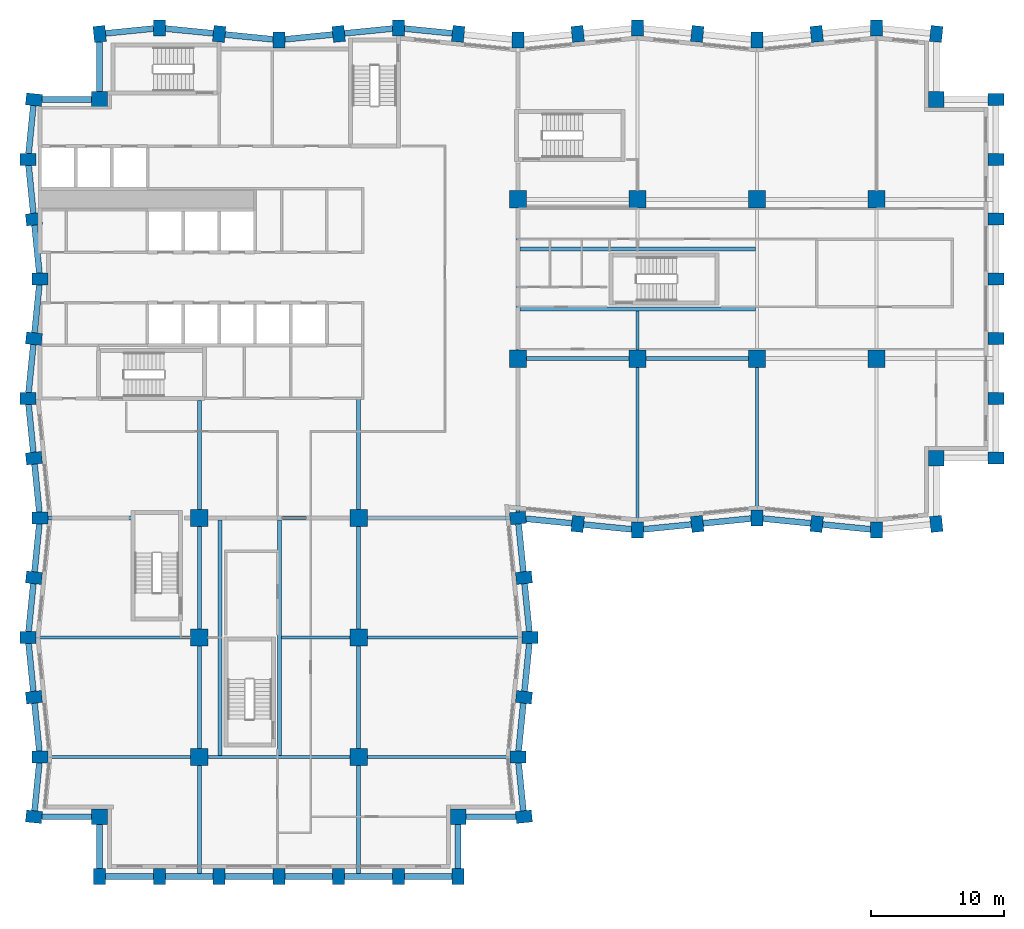
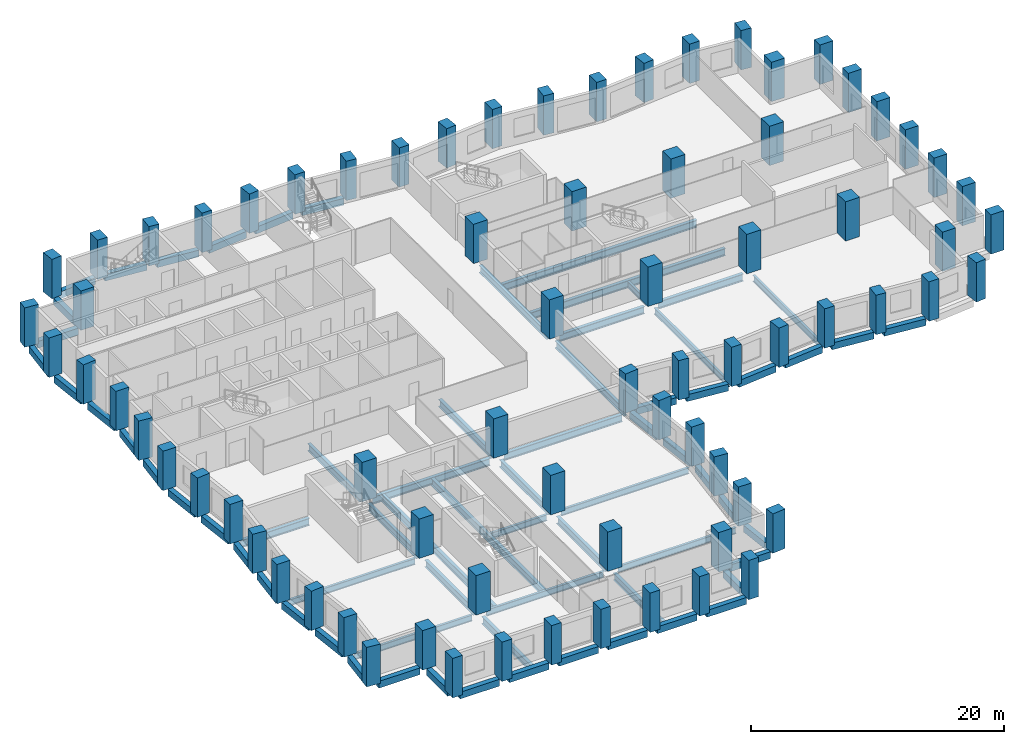
# One storey, part 1 of 11: 74 columns, 69 beams.
"""IFC4 building model written with IfcOpenShell, lengths in metres."""

from ifc_helpers import new_model, si_unit, direction, frame, origin, origin_2d, place, context, subcontext, project, spatial, rectangle, i_section, extrude, material, material_profile, profile_set, type_object, element, save


model = new_model("IFC4")

# Units and contexts
model_context = context("Model", 3, precision=1e-05, world=origin(), true_north=direction((0.0, 1.0)))
body_context = subcontext(model_context, "Body", "Model", "MODEL_VIEW")
ifc_project = project(units=[si_unit("LENGTHUNIT", "METRE"), si_unit("AREAUNIT", "SQUARE_METRE"), si_unit("VOLUMEUNIT", "CUBIC_METRE"), si_unit("PLANEANGLEUNIT", "RADIAN"), si_unit("MASSUNIT", "GRAM", prefix="KILO")], contexts=[model_context])

# Site, building, storey
site_placement = place(None, origin())
site = spatial("IfcSite", under=ifc_project, at=site_placement, CompositionType="ELEMENT")
building_placement = place(site_placement, origin())
building = spatial("IfcBuilding", under=site, at=building_placement, Name="Brondeck Convention Tower", CompositionType="ELEMENT")
storey_placement = place(building_placement, frame((0.0, 0.0, 130.300048828125)))
storey = spatial("IfcBuildingStorey", under=building, at=storey_placement, Name="L31", CompositionType="ELEMENT", Elevation=130.300048828125)

# Columns
ifc_material_1 = material(Name="Concrete C70/85", Category="concrete")
ifc_material_profile_1 = material_profile(ifc_material_1, rectangle(XDim=1.199951171875, YDim=1.199951171875, at=origin_2d()), Name="Corner column 1200x1200 Concrete C70/85")
ifc_profile_set_1 = profile_set([ifc_material_profile_1], Name="Concrete C70/85")
column_type_1 = type_object("IfcColumnType", Name="Corner column 1200x1200 Concrete C70/85", PredefinedType="COLUMN", material=ifc_profile_set_1)
for number, where, z_axis, x_axis, name in (
    (1, (4.5, 4.5, 0.0), (0.0, 0.0, 1.0), (1.0, 0.0, 0.0), "STR-COL-L31-NC-SWB0"),
    (2, (31.5, 4.5, 0.0), (0.0, 0.0, 1.0), (1.0, 0.0, 0.0), "STR-COL-L31-NC-SEB0"),
    (3, (67.5, 31.5, 0.0), (0.0, 0.0, 1.0), (1.0, 0.0, 0.0), "STR-COL-L31-NC-SEA72"),
    (4, (67.5, 58.5, 0.0), (0.0, 0.0, 1.0), (1.0, 0.0, 0.0), "STR-COL-L31-NC-NEA72"),
    (5, (4.5, 58.5, 0.0), (0.0, 0.0, 1.0), (1.0, 0.0, 0.0), "STR-COL-L31-NC-NW"),
):
    element("IfcColumn", number, at=place(storey_placement, frame(where, z_axis=z_axis, x_axis=x_axis)), inside=storey, type_object=column_type_1, Name=name, PredefinedType="COLUMN", context=body_context, shape_type="SweptSolid", body=[
        extrude(rectangle(XDim=1.199951171875, YDim=1.199951171875, at=origin_2d()), origin(), (0.0, 0.0, 1.0), 3.800048828125),
    ])
ifc_material_profile_2 = material_profile(ifc_material_1, rectangle(XDim=1.300048828125, YDim=1.300048828125, at=origin_2d()), Name="Interior column 1300x1300 Concrete C70/85")
ifc_profile_set_2 = profile_set([ifc_material_profile_2], Name="Concrete C70/85")
column_type_2 = type_object("IfcColumnType", Name="Interior column 1300x1300 Concrete C70/85", PredefinedType="COLUMN", material=ifc_profile_set_2)
for number, where, z_axis, x_axis, name in (
    (6, (12.0, 9.0, 0.0), (0.0, 0.0, 1.0), (1.0, 0.0, 0.0), "STR-COL-L31-IC-01"),
    (7, (12.0, 18.0, 0.0), (0.0, 0.0, 1.0), (1.0, 0.0, 0.0), "STR-COL-L31-IC-02"),
    (8, (12.0, 27.0, 0.0), (0.0, 0.0, 1.0), (1.0, 0.0, 0.0), "STR-COL-L31-IC-03"),
    (9, (24.0, 9.0, 0.0), (0.0, 0.0, 1.0), (1.0, 0.0, 0.0), "STR-COL-L31-IC-04"),
    (10, (24.0, 18.0, 0.0), (0.0, 0.0, 1.0), (1.0, 0.0, 0.0), "STR-COL-L31-IC-05"),
    (11, (24.0, 27.0, 0.0), (0.0, 0.0, 1.0), (1.0, 0.0, 0.0), "STR-COL-L31-IC-06"),
    (12, (36.0, 39.0, 0.0), (0.0, 0.0, 1.0), (1.0, 0.0, 0.0), "STR-COL-L31-IC-07"),
    (13, (36.0, 51.0, 0.0), (0.0, 0.0, 1.0), (1.0, 0.0, 0.0), "STR-COL-L31-IC-08"),
    (14, (45.0, 39.0, 0.0), (0.0, 0.0, 1.0), (1.0, 0.0, 0.0), "STR-COL-L31-IC-09"),
    (15, (45.0, 51.0, 0.0), (0.0, 0.0, 1.0), (1.0, 0.0, 0.0), "STR-COL-L31-IC-10"),
    (16, (54.0, 39.0, 0.0), (0.0, 0.0, 1.0), (1.0, 0.0, 0.0), "STR-COL-L31-IC-11"),
    (17, (54.0, 51.0, 0.0), (0.0, 0.0, 1.0), (1.0, 0.0, 0.0), "STR-COL-L31-IC-12"),
    (18, (63.0, 39.0, 0.0), (0.0, 0.0, 1.0), (1.0, 0.0, 0.0), "STR-COL-L31-IC-13"),
    (19, (63.0, 51.0, 0.0), (0.0, 0.0, 1.0), (1.0, 0.0, 0.0), "STR-COL-L31-IC-14"),
):
    element("IfcColumn", number, at=place(storey_placement, frame(where, z_axis=z_axis, x_axis=x_axis)), inside=storey, type_object=column_type_2, Name=name, PredefinedType="COLUMN", context=body_context, shape_type="SweptSolid", body=[
        extrude(rectangle(XDim=1.300048828125, YDim=1.300048828125, at=origin_2d()), origin(), (0.0, 0.0, 1.0), 3.800048828125),
    ])
ifc_material_profile_3 = material_profile(ifc_material_1, rectangle(XDim=0.89990234375, YDim=1.199951171875, at=origin_2d()), Name="Perimeter pier 900x1200 Concrete C70/85")
ifc_profile_set_3 = profile_set([ifc_material_profile_3], Name="Concrete C70/85")
column_type_3 = type_object("IfcColumnType", Name="Perimeter pier 900x1200 Concrete C70/85", PredefinedType="COLUMN", material=ifc_profile_set_3)
for number, where, z_axis, x_axis, name in (
    (20, (4.5, 0.0, 0.0), (0.0, 0.0, 1.0), (1.0, 0.0, 0.0), "STR-COL-L31-PC-B-S0-01"),
    (21, (9.0, 0.0, 0.0), (0.0, 0.0, 1.0), (1.0, 0.0, 0.0), "STR-COL-L31-PC-B-S0-02"),
    (22, (13.5, 0.0, 0.0), (0.0, 0.0, 1.0), (1.0, 0.0, 0.0), "STR-COL-L31-PC-B-S0-03"),
    (23, (18.0, 0.0, 0.0), (0.0, 0.0, 1.0), (1.0, 0.0, 0.0), "STR-COL-L31-PC-B-S0-04"),
    (24, (22.5, 0.0, 0.0), (0.0, 0.0, 1.0), (1.0, 0.0, 0.0), "STR-COL-L31-PC-B-S0-05"),
    (25, (27.0, 0.0, 0.0), (0.0, 0.0, 1.0), (1.0, 0.0, 0.0), "STR-COL-L31-PC-B-S0-06"),
    (26, (31.5, 0.0, 0.0), (0.0, 0.0, 1.0), (1.0, 0.0, 0.0), "STR-COL-L31-PC-B-S0-07"),
    (27, (36.449951171875, 4.5, 0.0), (0.0, 0.0, 1.0), (-0.0995038382, 0.995037178292, 0.0), "STR-COL-L31-PC-B-E-05"),
    (28, (36.0, 9.0, 0.0), (0.0, 0.0, 1.0), (0.0, 1.0, 0.0), "STR-COL-L31-PC-B-E-04"),
    (29, (36.449951171875, 13.5, 0.0), (0.0, 0.0, 1.0), (0.0995038382, 0.995037178292, 0.0), "STR-COL-L31-PC-B-E-03"),
    (30, (36.89990234375, 18.0, 0.0), (0.0, 0.0, 1.0), (0.0, 1.0, 0.0), "STR-COL-L31-PC-B-E-02"),
    (31, (36.449951171875, 22.5, 0.0), (0.0, 0.0, 1.0), (-0.0995038382, 0.995037178292, 0.0), "STR-COL-L31-PC-B-E-01"),
    (32, (36.0, 27.0, 0.0), (0.0, 0.0, 1.0), (-0.0995038382, 0.995037178292, 0.0), "STR-COL-L31-PC-B-E-00"),
    (33, (40.5, 26.550048828125, 0.0), (0.0, 0.0, 1.0), (0.995037178292, -0.0995038382, 0.0), "STR-COL-L31-PC-A-S-01"),
    (34, (45.0, 26.10009765625, 0.0), (0.0, 0.0, 1.0), (1.0, 0.0, 0.0), "STR-COL-L31-PC-A-S-02"),
    (35, (49.5, 26.550048828125, 0.0), (0.0, 0.0, 1.0), (0.995037178292, 0.0995038382, 0.0), "STR-COL-L31-PC-A-S-03"),
    (36, (54.0, 27.0, 0.0), (0.0, 0.0, 1.0), (1.0, 0.0, 0.0), "STR-COL-L31-PC-A-S-04"),
    (37, (58.5, 26.550048828125, 0.0), (0.0, 0.0, 1.0), (0.995037178292, -0.0995038382, 0.0), "STR-COL-L31-PC-A-S-05"),
    (38, (63.0, 26.10009765625, 0.0), (0.0, 0.0, 1.0), (1.0, 0.0, 0.0), "STR-COL-L31-PC-A-S-06"),
    (39, (67.5, 26.550048828125, 0.0), (0.0, 0.0, 1.0), (0.995037178292, 0.0995038382, 0.0), "STR-COL-L31-PC-A-S-07"),
    (40, (72.0, 31.5, 0.0), (0.0, 0.0, 1.0), (0.0, 1.0, 0.0), "STR-COL-L31-PC-A-E72-01"),
    (41, (72.0, 36.0, 0.0), (0.0, 0.0, 1.0), (0.0, 1.0, 0.0), "STR-COL-L31-PC-A-E72-02"),
    (42, (72.0, 40.5, 0.0), (0.0, 0.0, 1.0), (0.0, 1.0, 0.0), "STR-COL-L31-PC-A-E72-03"),
    (43, (72.0, 45.0, 0.0), (0.0, 0.0, 1.0), (0.0, 1.0, 0.0), "STR-COL-L31-PC-A-E72-04"),
    (44, (72.0, 49.5, 0.0), (0.0, 0.0, 1.0), (0.0, 1.0, 0.0), "STR-COL-L31-PC-A-E72-05"),
    (45, (72.0, 54.0, 0.0), (0.0, 0.0, 1.0), (0.0, 1.0, 0.0), "STR-COL-L31-PC-A-E72-06"),
    (46, (72.0, 58.5, 0.0), (0.0, 0.0, 1.0), (0.0, 1.0, 0.0), "STR-COL-L31-PC-A-E72-07"),
    (47, (67.5, 63.449951171875, 0.0), (0.0, 0.0, 1.0), (-0.995037178292, 0.0995038382, 0.0), "STR-COL-L31-PC-A-N-15"),
    (48, (63.0, 63.89990234375, 0.0), (0.0, 0.0, 1.0), (-1.0, 0.0, 0.0), "STR-COL-L31-PC-A-N-14"),
    (49, (58.5, 63.449951171875, 0.0), (0.0, 0.0, 1.0), (-0.995037178292, -0.0995038382, 0.0), "STR-COL-L31-PC-A-N-13"),
    (50, (54.0, 63.0, 0.0), (0.0, 0.0, 1.0), (-1.0, 0.0, 0.0), "STR-COL-L31-PC-A-N-12"),
    (51, (49.5, 63.449951171875, 0.0), (0.0, 0.0, 1.0), (-0.995037178292, 0.0995038382, 0.0), "STR-COL-L31-PC-A-N-11"),
    (52, (45.0, 63.89990234375, 0.0), (0.0, 0.0, 1.0), (-1.0, 0.0, 0.0), "STR-COL-L31-PC-A-N-10"),
    (53, (40.5, 63.449951171875, 0.0), (0.0, 0.0, 1.0), (-0.995037178292, -0.0995038382, 0.0), "STR-COL-L31-PC-A-N-09"),
    (54, (36.0, 63.0, 0.0), (0.0, 0.0, 1.0), (-1.0, 0.0, 0.0), "STR-COL-L31-PC-A-N-08"),
    (55, (31.5, 63.449951171875, 0.0), (0.0, 0.0, 1.0), (-0.995037178292, 0.0995038382, 0.0), "STR-COL-L31-PC-A-N-07"),
    (56, (27.0, 63.89990234375, 0.0), (0.0, 0.0, 1.0), (-1.0, 0.0, 0.0), "STR-COL-L31-PC-A-N-06"),
    (57, (22.5, 63.449951171875, 0.0), (0.0, 0.0, 1.0), (-0.995037178292, -0.0995038382, 0.0), "STR-COL-L31-PC-A-N-05"),
    (58, (18.0, 63.0, 0.0), (0.0, 0.0, 1.0), (-1.0, 0.0, 0.0), "STR-COL-L31-PC-A-N-04"),
    (59, (13.5, 63.449951171875, 0.0), (0.0, 0.0, 1.0), (-0.995037178292, 0.0995038382, 0.0), "STR-COL-L31-PC-A-N-03"),
    (60, (9.0, 63.89990234375, 0.0), (0.0, 0.0, 1.0), (-1.0, 0.0, 0.0), "STR-COL-L31-PC-A-N-02"),
    (61, (4.5, 63.449951171875, 0.0), (0.0, 0.0, 1.0), (-0.995037178292, -0.0995038382, 0.0), "STR-COL-L31-PC-A-N-01"),
    (62, (-0.449951171875, 58.5, 0.0), (0.0, 0.0, 1.0), (-0.0995038382, -0.995037178292, 0.0), "STR-COL-L31-PC-B-W-01"),
    (63, (-0.89990234375, 54.0, 0.0), (0.0, 0.0, 1.0), (0.0, -1.0, 0.0), "STR-COL-L31-PC-B-W-02"),
    (64, (-0.449951171875, 49.5, 0.0), (0.0, 0.0, 1.0), (0.0995038382, -0.995037178292, 0.0), "STR-COL-L31-PC-B-W-03"),
    (65, (0.0, 45.0, 0.0), (0.0, 0.0, 1.0), (0.0, -1.0, 0.0), "STR-COL-L31-PC-B-W-04"),
    (66, (-0.449951171875, 40.5, 0.0), (0.0, 0.0, 1.0), (-0.0995038382, -0.995037178292, 0.0), "STR-COL-L31-PC-B-W-05"),
    (67, (-0.89990234375, 36.0, 0.0), (0.0, 0.0, 1.0), (0.0, -1.0, 0.0), "STR-COL-L31-PC-B-W-06"),
    (68, (-0.449951171875, 31.5, 0.0), (0.0, 0.0, 1.0), (0.0995038382, -0.995037178292, 0.0), "STR-COL-L31-PC-B-W-07"),
    (69, (0.0, 27.0, 0.0), (0.0, 0.0, 1.0), (0.0, -1.0, 0.0), "STR-COL-L31-PC-B-W-08"),
    (70, (-0.449951171875, 22.5, 0.0), (0.0, 0.0, 1.0), (-0.0995038382, -0.995037178292, 0.0), "STR-COL-L31-PC-B-W-09"),
    (71, (-0.89990234375, 18.0, 0.0), (0.0, 0.0, 1.0), (0.0, -1.0, 0.0), "STR-COL-L31-PC-B-W-10"),
    (72, (-0.449951171875, 13.5, 0.0), (0.0, 0.0, 1.0), (0.0995038382, -0.995037178292, 0.0), "STR-COL-L31-PC-B-W-11"),
    (73, (0.0, 9.0, 0.0), (0.0, 0.0, 1.0), (0.0, -1.0, 0.0), "STR-COL-L31-PC-B-W-12"),
    (74, (-0.449951171875, 4.5, 0.0), (0.0, 0.0, 1.0), (-0.0995038382, -0.995037178292, 0.0), "STR-COL-L31-PC-B-W-13"),
):
    element("IfcColumn", number, at=place(storey_placement, frame(where, z_axis=z_axis, x_axis=x_axis)), inside=storey, type_object=column_type_3, Name=name, PredefinedType="COLUMN", context=body_context, shape_type="SweptSolid", body=[
        extrude(rectangle(XDim=0.89990234375, YDim=1.199951171875, at=origin_2d()), origin(), (0.0, 0.0, 1.0), 3.800048828125),
    ])

# Beams
ifc_material_2 = material(Name="Steel S355", Category="steel")
ifc_material_profile_4 = material_profile(ifc_material_2, i_section(OverallWidth=0.219970703125, OverallDepth=0.60009765625, WebThickness=0.011962890625, FlangeThickness=0.01904296875, FilletRadius=0.02392578125, at=origin_2d()), Name="IPE 600")
ifc_profile_set_4 = profile_set([ifc_material_profile_4], Name="Steel S355")
beam_type_1 = type_object("IfcBeamType", Name="Floor beam IPE 600", PredefinedType="BEAM", material=ifc_profile_set_4)
beam_1_placement = place(storey_placement, frame((45.0, 26.699951171875, -0.60009765625), z_axis=(0.0, 1.0, 0.0), x_axis=(-1.0, 0.0, 0.0)))
element("IfcBeam", 75, at=beam_1_placement, inside=storey, type_object=beam_type_1, Name="STR-FB-L31-001", PredefinedType="BEAM", context=body_context, shape_type="SweptSolid", body=[
    extrude(i_section(OverallWidth=0.219970703125, OverallDepth=0.60009765625, WebThickness=0.011962890625, FlangeThickness=0.01904296875, FilletRadius=0.02392578125, at=origin_2d()), origin(), (0.0, 0.0, 1.0), 11.650146484375),
])
for number, where, z_axis, x_axis, name in (
    (76, (54.0, 27.60009765625, -0.60009765625), (0.0, 1.0, 0.0), (-1.0, 0.0, 0.0), "STR-FB-L31-003"),
    (77, (0.60009765625, 9.0, -0.60009765625), (1.0, 0.0, 0.0), (0.0, 1.0, 0.0), "STR-FB-L31-009"),
):
    element("IfcBeam", number, at=place(storey_placement, frame(where, z_axis=z_axis, x_axis=x_axis)), inside=storey, type_object=beam_type_1, Name=name, PredefinedType="BEAM", context=body_context, shape_type="SweptSolid", body=[
        extrude(i_section(OverallWidth=0.219970703125, OverallDepth=0.60009765625, WebThickness=0.011962890625, FlangeThickness=0.01904296875, FilletRadius=0.02392578125, at=origin_2d()), origin(), (0.0, 0.0, 1.0), 10.75),
    ])
beam_2_placement = place(storey_placement, frame((12.64990234375, 9.0, -0.60009765625), z_axis=(1.0, 0.0, 0.0), x_axis=(0.0, 1.0, 0.0)))
element("IfcBeam", 78, at=beam_2_placement, inside=storey, type_object=beam_type_1, Name="STR-FB-L31-010", PredefinedType="BEAM", context=body_context, shape_type="SweptSolid", body=[
    extrude(i_section(OverallWidth=0.219970703125, OverallDepth=0.60009765625, WebThickness=0.011962890625, FlangeThickness=0.01904296875, FilletRadius=0.02392578125, at=origin_2d()), origin(), (0.0, 0.0, 1.0), 10.7001953125),
])
beam_3_placement = place(storey_placement, frame((24.64990234375, 9.0, -0.60009765625), z_axis=(1.0, 0.0, 0.0), x_axis=(0.0, 1.0, 0.0)))
element("IfcBeam", 79, at=beam_3_placement, inside=storey, type_object=beam_type_1, Name="STR-FB-L31-011", PredefinedType="BEAM", context=body_context, shape_type="SweptSolid", body=[
    extrude(i_section(OverallWidth=0.219970703125, OverallDepth=0.60009765625, WebThickness=0.011962890625, FlangeThickness=0.01904296875, FilletRadius=0.02392578125, at=origin_2d()), origin(), (0.0, 0.0, 1.0), 10.75),
])
for number, where, z_axis, x_axis, name in (
    (80, (-0.300048828125, 18.0, -0.60009765625), (1.0, 0.0, 0.0), (0.0, 1.0, 0.0), "STR-FB-L31-012"),
    (81, (24.64990234375, 18.0, -0.60009765625), (1.0, 0.0, 0.0), (0.0, 1.0, 0.0), "STR-FB-L31-013"),
):
    element("IfcBeam", number, at=place(storey_placement, frame(where, z_axis=z_axis, x_axis=x_axis)), inside=storey, type_object=beam_type_1, Name=name, PredefinedType="BEAM", context=body_context, shape_type="SweptSolid", body=[
        extrude(i_section(OverallWidth=0.219970703125, OverallDepth=0.60009765625, WebThickness=0.011962890625, FlangeThickness=0.01904296875, FilletRadius=0.02392578125, at=origin_2d()), origin(), (0.0, 0.0, 1.0), 11.650146484375),
    ])
beam_4_placement = place(storey_placement, frame((45.0, 39.64990234375, -0.60009765625), z_axis=(0.0, 1.0, 0.0), x_axis=(-1.0, 0.0, 0.0)))
element("IfcBeam", 82, at=beam_4_placement, inside=storey, type_object=beam_type_1, Name="STR-FB-L31-014", PredefinedType="BEAM", context=body_context, shape_type="SweptSolid", body=[
    extrude(i_section(OverallWidth=0.219970703125, OverallDepth=0.60009765625, WebThickness=0.011962890625, FlangeThickness=0.01904296875, FilletRadius=0.02392578125, at=origin_2d()), origin(), (0.0, 0.0, 1.0), 2.9501953125),
])
beam_5_placement = place(storey_placement, frame((18.199951171875, 18.0, -0.60009765625), z_axis=(1.0, 0.0, 0.0), x_axis=(0.0, 1.0, 0.0)))
element("IfcBeam", 83, at=beam_5_placement, inside=storey, type_object=beam_type_1, Name="STR-FB-L31-016", PredefinedType="BEAM", context=body_context, shape_type="SweptSolid", body=[
    extrude(i_section(OverallWidth=0.219970703125, OverallDepth=0.60009765625, WebThickness=0.011962890625, FlangeThickness=0.01904296875, FilletRadius=0.02392578125, at=origin_2d()), origin(), (0.0, 0.0, 1.0), 5.150146484375),
])
ifc_material_profile_5 = material_profile(ifc_material_2, i_section(OverallWidth=0.300048828125, OverallDepth=0.699951171875, WebThickness=0.01708984375, FlangeThickness=0.031982421875, FilletRadius=0.027099609375, at=origin_2d()), Name="HEB 700")
ifc_profile_set_5 = profile_set([ifc_material_profile_5], Name="Steel S355")
beam_type_2 = type_object("IfcBeamType", Name="Girder HEB 700", PredefinedType="BEAM", material=ifc_profile_set_5)
for number, where, z_axis, x_axis, name in (
    (84, (36.64990234375, 39.0, -0.650146484375), (1.0, 0.0, 0.0), (0.0, 1.0, 0.0), "STR-GR-L31-001"),
    (85, (45.64990234375, 39.0, -0.650146484375), (1.0, 0.0, 0.0), (0.0, 1.0, 0.0), "STR-GR-L31-002"),
):
    element("IfcBeam", number, at=place(storey_placement, frame(where, z_axis=z_axis, x_axis=x_axis)), inside=storey, type_object=beam_type_2, Name=name, PredefinedType="BEAM", context=body_context, shape_type="SweptSolid", body=[
        extrude(i_section(OverallWidth=0.300048828125, OverallDepth=0.699951171875, WebThickness=0.01708984375, FlangeThickness=0.031982421875, FilletRadius=0.027099609375, at=origin_2d()), origin(), (0.0, 0.0, 1.0), 7.7001953125),
    ])
beam_6_placement = place(storey_placement, frame((36.0, 27.4521484375, -0.650146484375), z_axis=(0.0, 1.0, 0.0), x_axis=(-1.0, 0.0, 0.0)))
element("IfcBeam", 86, at=beam_6_placement, inside=storey, type_object=beam_type_2, Name="STR-GR-L31-009", PredefinedType="BEAM", context=body_context, shape_type="SweptSolid", body=[
    extrude(i_section(OverallWidth=0.300048828125, OverallDepth=0.699951171875, WebThickness=0.01708984375, FlangeThickness=0.031982421875, FilletRadius=0.027099609375, at=origin_2d()), origin(), (0.0, 0.0, 1.0), 10.89794921875),
])
beam_7_placement = place(storey_placement, frame((36.0, 39.64990234375, -0.650146484375), z_axis=(0.0, 1.0, 0.0), x_axis=(-1.0, 0.0, 0.0)))
element("IfcBeam", 87, at=beam_7_placement, inside=storey, type_object=beam_type_2, Name="STR-GR-L31-010", PredefinedType="BEAM", context=body_context, shape_type="SweptSolid", body=[
    extrude(i_section(OverallWidth=0.300048828125, OverallDepth=0.699951171875, WebThickness=0.01708984375, FlangeThickness=0.031982421875, FilletRadius=0.027099609375, at=origin_2d()), origin(), (0.0, 0.0, 1.0), 10.7001953125),
])
beam_8_placement = place(storey_placement, frame((12.0, 35.85009765625, -0.650146484375), z_axis=(0.0, -1.0, 0.0), x_axis=(1.0, 0.0, 0.0)))
element("IfcBeam", 88, at=beam_8_placement, inside=storey, type_object=beam_type_2, Name="STR-GR-L31-013", PredefinedType="BEAM", context=body_context, shape_type="SweptSolid", body=[
    extrude(i_section(OverallWidth=0.300048828125, OverallDepth=0.699951171875, WebThickness=0.01708984375, FlangeThickness=0.031982421875, FilletRadius=0.027099609375, at=origin_2d()), origin(), (0.0, 0.0, 1.0), 8.2001953125),
])
for number, where, z_axis, x_axis, name in (
    (89, (12.0, 26.35009765625, -0.650146484375), (0.0, -1.0, 0.0), (1.0, 0.0, 0.0), "STR-GR-L31-014"),
    (90, (12.0, 17.35009765625, -0.650146484375), (0.0, -1.0, 0.0), (1.0, 0.0, 0.0), "STR-GR-L31-015"),
):
    element("IfcBeam", number, at=place(storey_placement, frame(where, z_axis=z_axis, x_axis=x_axis)), inside=storey, type_object=beam_type_2, Name=name, PredefinedType="BEAM", context=body_context, shape_type="SweptSolid", body=[
        extrude(i_section(OverallWidth=0.300048828125, OverallDepth=0.699951171875, WebThickness=0.01708984375, FlangeThickness=0.031982421875, FilletRadius=0.027099609375, at=origin_2d()), origin(), (0.0, 0.0, 1.0), 7.7001953125),
    ])
beam_9_placement = place(storey_placement, frame((12.0, 8.35009765625, -0.650146484375), z_axis=(0.0, -1.0, 0.0), x_axis=(1.0, 0.0, 0.0)))
element("IfcBeam", 91, at=beam_9_placement, inside=storey, type_object=beam_type_2, Name="STR-GR-L31-016", PredefinedType="BEAM", context=body_context, shape_type="SweptSolid", body=[
    extrude(i_section(OverallWidth=0.300048828125, OverallDepth=0.699951171875, WebThickness=0.01708984375, FlangeThickness=0.031982421875, FilletRadius=0.027099609375, at=origin_2d()), origin(), (0.0, 0.0, 1.0), 8.125),
])
beam_10_placement = place(storey_placement, frame((24.0, 35.955078125, -0.650146484375), z_axis=(0.0, -1.0, 0.0), x_axis=(1.0, 0.0, 0.0)))
element("IfcBeam", 92, at=beam_10_placement, inside=storey, type_object=beam_type_2, Name="STR-GR-L31-017", PredefinedType="BEAM", context=body_context, shape_type="SweptSolid", body=[
    extrude(i_section(OverallWidth=0.300048828125, OverallDepth=0.699951171875, WebThickness=0.01708984375, FlangeThickness=0.031982421875, FilletRadius=0.027099609375, at=origin_2d()), origin(), (0.0, 0.0, 1.0), 8.30517578125),
])
for number, where, z_axis, x_axis, name in (
    (93, (24.0, 26.35009765625, -0.650146484375), (0.0, -1.0, 0.0), (1.0, 0.0, 0.0), "STR-GR-L31-018"),
    (94, (24.0, 17.35009765625, -0.650146484375), (0.0, -1.0, 0.0), (1.0, 0.0, 0.0), "STR-GR-L31-019"),
):
    element("IfcBeam", number, at=place(storey_placement, frame(where, z_axis=z_axis, x_axis=x_axis)), inside=storey, type_object=beam_type_2, Name=name, PredefinedType="BEAM", context=body_context, shape_type="SweptSolid", body=[
        extrude(i_section(OverallWidth=0.300048828125, OverallDepth=0.699951171875, WebThickness=0.01708984375, FlangeThickness=0.031982421875, FilletRadius=0.027099609375, at=origin_2d()), origin(), (0.0, 0.0, 1.0), 7.7001953125),
    ])
beam_11_placement = place(storey_placement, frame((24.0, 8.35009765625, -0.650146484375), z_axis=(0.0, -1.0, 0.0), x_axis=(1.0, 0.0, 0.0)))
element("IfcBeam", 95, at=beam_11_placement, inside=storey, type_object=beam_type_2, Name="STR-GR-L31-020", PredefinedType="BEAM", context=body_context, shape_type="SweptSolid", body=[
    extrude(i_section(OverallWidth=0.300048828125, OverallDepth=0.699951171875, WebThickness=0.01708984375, FlangeThickness=0.031982421875, FilletRadius=0.027099609375, at=origin_2d()), origin(), (0.0, 0.0, 1.0), 8.125),
])
beam_12_placement = place(storey_placement, frame((0.60009765625, 27.0, -0.650146484375), z_axis=(1.0, 0.0, 0.0), x_axis=(0.0, 1.0, 0.0)))
element("IfcBeam", 96, at=beam_12_placement, inside=storey, type_object=beam_type_2, Name="STR-GR-L31-021", PredefinedType="BEAM", context=body_context, shape_type="SweptSolid", body=[
    extrude(i_section(OverallWidth=0.300048828125, OverallDepth=0.699951171875, WebThickness=0.01708984375, FlangeThickness=0.031982421875, FilletRadius=0.027099609375, at=origin_2d()), origin(), (0.0, 0.0, 1.0), 6.27978515625),
])
beam_13_placement = place(storey_placement, frame((12.64990234375, 27.0, -0.650146484375), z_axis=(1.0, 0.0, 0.0), x_axis=(0.0, 1.0, 0.0)))
element("IfcBeam", 97, at=beam_13_placement, inside=storey, type_object=beam_type_2, Name="STR-GR-L31-022", PredefinedType="BEAM", context=body_context, shape_type="SweptSolid", body=[
    extrude(i_section(OverallWidth=0.300048828125, OverallDepth=0.699951171875, WebThickness=0.01708984375, FlangeThickness=0.031982421875, FilletRadius=0.027099609375, at=origin_2d()), origin(), (0.0, 0.0, 1.0), 10.7001953125),
])
beam_14_placement = place(storey_placement, frame((24.64990234375, 27.0, -0.650146484375), z_axis=(1.0, 0.0, 0.0), x_axis=(0.0, 1.0, 0.0)))
element("IfcBeam", 98, at=beam_14_placement, inside=storey, type_object=beam_type_2, Name="STR-GR-L31-023", PredefinedType="BEAM", context=body_context, shape_type="SweptSolid", body=[
    extrude(i_section(OverallWidth=0.300048828125, OverallDepth=0.699951171875, WebThickness=0.01708984375, FlangeThickness=0.031982421875, FilletRadius=0.027099609375, at=origin_2d()), origin(), (0.0, 0.0, 1.0), 10.7470703125),
])
for number, where, z_axis, x_axis, name in (
    (99, (36.14990234375, 42.75, -0.650146484375), (1.0, 0.0, 0.0), (0.0, 1.0, 0.0), "STR-GR-L31-024"),
    (100, (36.14990234375, 47.25, -0.650146484375), (1.0, 0.0, 0.0), (0.0, 1.0, 0.0), "STR-GR-L31-025"),
    (101, (13.550048828125, 9.110107421875, -0.650146484375), (0.0, 1.0, 0.0), (-1.0, 0.0, 0.0), "STR-GR-L31-026"),
    (102, (18.050048828125, 9.110107421875, -0.650146484375), (0.0, 1.0, 0.0), (-1.0, 0.0, 0.0), "STR-GR-L31-027"),
):
    element("IfcBeam", number, at=place(storey_placement, frame(where, z_axis=z_axis, x_axis=x_axis)), inside=storey, type_object=beam_type_2, Name=name, PredefinedType="BEAM", context=body_context, shape_type="SweptSolid", body=[
        extrude(i_section(OverallWidth=0.300048828125, OverallDepth=0.699951171875, WebThickness=0.01708984375, FlangeThickness=0.031982421875, FilletRadius=0.027099609375, at=origin_2d()), origin(), (0.0, 0.0, 1.0), 17.739990234375),
    ])
ifc_material_profile_6 = material_profile(ifc_material_1, rectangle(XDim=0.449951171875, YDim=0.64990234375, at=origin_2d()), Name="Precast spandrel 450x650 Concrete C70/85")
ifc_profile_set_6 = profile_set([ifc_material_profile_6], Name="Concrete C70/85")
beam_type_3 = type_object("IfcBeamType", Name="Precast spandrel 450x650 Concrete C70/85", PredefinedType="SPANDREL", material=ifc_profile_set_6)
for number, where, z_axis, x_axis, name in (
    (103, (4.949951171875, 0.0, -0.324951171875), (1.0, 0.0, 0.0), (0.0, 1.0, 0.0), "STR-SP-L31-001"),
    (104, (9.449951171875, 0.0, -0.324951171875), (1.0, 0.0, 0.0), (0.0, 1.0, 0.0), "STR-SP-L31-002"),
    (105, (13.949951171875, 0.0, -0.324951171875), (1.0, 0.0, 0.0), (0.0, 1.0, 0.0), "STR-SP-L31-003"),
    (106, (18.449951171875, 0.0, -0.324951171875), (1.0, 0.0, 0.0), (0.0, 1.0, 0.0), "STR-SP-L31-004"),
    (107, (22.949951171875, 0.0, -0.324951171875), (1.0, 0.0, 0.0), (0.0, 1.0, 0.0), "STR-SP-L31-005"),
    (108, (27.449951171875, 0.0, -0.324951171875), (1.0, 0.0, 0.0), (0.0, 1.0, 0.0), "STR-SP-L31-006"),
):
    element("IfcBeam", number, at=place(storey_placement, frame(where, z_axis=z_axis, x_axis=x_axis)), inside=storey, type_object=beam_type_3, Name=name, PredefinedType="SPANDREL", context=body_context, shape_type="SweptSolid", body=[
        extrude(rectangle(XDim=0.449951171875, YDim=0.64990234375, at=origin_2d()), origin(), (0.0, 0.0, 1.0), 3.60009765625),
    ])
beam_15_placement = place(storey_placement, frame((31.5, 0.60009765625, -0.324951171875), z_axis=(0.0, 1.0, 0.0), x_axis=(-1.0, 0.0, 0.0)))
element("IfcBeam", 109, at=beam_15_placement, inside=storey, type_object=beam_type_3, Name="STR-SP-L31-007", PredefinedType="SPANDREL", context=body_context, shape_type="SweptSolid", body=[
    extrude(rectangle(XDim=0.449951171875, YDim=0.64990234375, at=origin_2d()), origin(), (0.0, 0.0, 1.0), 3.2998046875),
])
beam_16_placement = place(storey_placement, frame((32.10009765625, 4.5, -0.324951171875), z_axis=(1.0, 0.0, 0.0), x_axis=(0.0, 1.0, 0.0)))
element("IfcBeam", 110, at=beam_16_placement, inside=storey, type_object=beam_type_3, Name="STR-SP-L31-008", PredefinedType="SPANDREL", context=body_context, shape_type="SweptSolid", body=[
    extrude(rectangle(XDim=0.449951171875, YDim=0.64990234375, at=origin_2d()), origin(), (0.0, 0.0, 1.0), 3.746826171875),
])
for number, where, z_axis, x_axis, name in (
    (111, (36.4052734375, 4.94775390625, -0.324951171875), (-0.099537103649, 0.995033851182, 0.0), (-0.995033851182, -0.099537103649, 0.0), "STR-SP-L31-009"),
    (112, (36.044921875, 9.449951171875, -0.324951171875), (0.099537103649, 0.995033851182, 0.0), (-0.995033851182, 0.099537103649, 0.0), "STR-SP-L31-010"),
    (113, (36.494873046875, 13.94775390625, -0.324951171875), (0.099470334057, 0.995040528141, 0.0), (-0.995040528141, 0.099470334057, 0.0), "STR-SP-L31-011"),
    (114, (36.85498046875, 18.449951171875, -0.324951171875), (-0.099470334057, 0.995040528141, 0.0), (-0.995040528141, -0.099470334057, 0.0), "STR-SP-L31-012"),
):
    element("IfcBeam", number, at=place(storey_placement, frame(where, z_axis=z_axis, x_axis=x_axis)), inside=storey, type_object=beam_type_3, Name=name, PredefinedType="SPANDREL", context=body_context, shape_type="SweptSolid", body=[
        extrude(rectangle(XDim=0.449951171875, YDim=0.64990234375, at=origin_2d()), origin(), (0.0, 0.0, 1.0), 3.620361328125),
    ])
beam_17_placement = place(storey_placement, frame((36.4052734375, 22.94775390625, -0.324951171875), z_axis=(-0.099543756114, 0.995033185687, 0.0), x_axis=(-0.995033185687, -0.099543756114, 0.0)))
element("IfcBeam", 115, at=beam_17_placement, inside=storey, type_object=beam_type_3, Name="STR-SP-L31-013", PredefinedType="SPANDREL", context=body_context, shape_type="SweptSolid", body=[
    extrude(rectangle(XDim=0.449951171875, YDim=0.64990234375, at=origin_2d()), origin(), (0.0, 0.0, 1.0), 3.62255859375),
])
beam_18_placement = place(storey_placement, frame((36.609130859375, 26.939208984375, -0.324951171875), z_axis=(0.995032299082, -0.099552618167, 0.0), x_axis=(0.099552618167, 0.995032299082, 0.0)))
element("IfcBeam", 116, at=beam_18_placement, inside=storey, type_object=beam_type_3, Name="STR-SP-L31-014", PredefinedType="SPANDREL", context=body_context, shape_type="SweptSolid", body=[
    extrude(rectangle(XDim=0.449951171875, YDim=0.64990234375, at=origin_2d()), origin(), (0.0, 0.0, 1.0), 3.460205078125),
])
for number, where, z_axis, x_axis, name in (
    (117, (40.94775390625, 26.505126953125, -0.324951171875), (0.995040528141, -0.099470334057, 0.0), (0.099470334057, 0.995040528141, 0.0), "STR-SP-L31-015"),
    (118, (45.449951171875, 26.14501953125, -0.324951171875), (0.995040528141, 0.099470334057, 0.0), (-0.099470334057, 0.995040528141, 0.0), "STR-SP-L31-016"),
    (119, (49.94775390625, 26.5947265625, -0.324951171875), (0.995033851182, 0.099537103649, 0.0), (-0.099537103649, 0.995033851182, 0.0), "STR-SP-L31-017"),
    (120, (54.449951171875, 26.955078125, -0.324951171875), (0.995033851182, -0.099537103649, 0.0), (0.099537103649, 0.995033851182, 0.0), "STR-SP-L31-018"),
    (121, (58.94775390625, 26.505126953125, -0.324951171875), (0.995040528141, -0.099470334057, 0.0), (0.099470334057, 0.995040528141, 0.0), "STR-SP-L31-019"),
    (122, (31.05224609375, 63.494873046875, -0.324951171875), (-0.995040528141, 0.099470334057, 0.0), (-0.099470334057, -0.995040528141, 0.0), "STR-SP-L31-039"),
    (123, (26.550048828125, 63.85498046875, -0.324951171875), (-0.995040528141, -0.099470334057, 0.0), (0.099470334057, -0.995040528141, 0.0), "STR-SP-L31-040"),
    (124, (22.05224609375, 63.4052734375, -0.324951171875), (-0.995033851182, -0.099537103649, 0.0), (0.099537103649, -0.995033851182, 0.0), "STR-SP-L31-041"),
    (125, (17.550048828125, 63.044921875, -0.324951171875), (-0.995033851182, 0.099537103649, 0.0), (-0.099537103649, -0.995033851182, 0.0), "STR-SP-L31-042"),
    (126, (13.05224609375, 63.494873046875, -0.324951171875), (-0.995040528141, 0.099470334057, 0.0), (-0.099470334057, -0.995040528141, 0.0), "STR-SP-L31-043"),
    (127, (8.550048828125, 63.85498046875, -0.324951171875), (-0.995040528141, -0.099470334057, 0.0), (0.099470334057, -0.995040528141, 0.0), "STR-SP-L31-044"),
):
    element("IfcBeam", number, at=place(storey_placement, frame(where, z_axis=z_axis, x_axis=x_axis)), inside=storey, type_object=beam_type_3, Name=name, PredefinedType="SPANDREL", context=body_context, shape_type="SweptSolid", body=[
        extrude(rectangle(XDim=0.449951171875, YDim=0.64990234375, at=origin_2d()), origin(), (0.0, 0.0, 1.0), 3.620361328125),
    ])
for number, where, z_axis, x_axis, name in (
    (128, (4.5, 62.846923828125, -0.324951171875), (0.0, -1.0, 0.0), (1.0, 0.0, 0.0), "STR-SP-L31-045"),
    (129, (3.89990234375, 58.5, -0.324951171875), (-1.0, 0.0, 0.0), (0.0, -1.0, 0.0), "STR-SP-L31-046"),
):
    element("IfcBeam", number, at=place(storey_placement, frame(where, z_axis=z_axis, x_axis=x_axis)), inside=storey, type_object=beam_type_3, Name=name, PredefinedType="SPANDREL", context=body_context, shape_type="SweptSolid", body=[
        extrude(rectangle(XDim=0.449951171875, YDim=0.64990234375, at=origin_2d()), origin(), (0.0, 0.0, 1.0), 3.746826171875),
    ])
for number, where, z_axis, x_axis, name in (
    (130, (-0.494873046875, 58.05224609375, -0.324951171875), (-0.099470334057, -0.995040528141, 0.0), (0.995040528141, -0.099470334057, 0.0), "STR-SP-L31-047"),
    (131, (-0.85498046875, 53.550048828125, -0.324951171875), (0.099470334057, -0.995040528141, 0.0), (0.995040528141, 0.099470334057, 0.0), "STR-SP-L31-048"),
    (132, (-0.4052734375, 49.05224609375, -0.324951171875), (0.099537103649, -0.995033851182, 0.0), (0.995033851182, 0.099537103649, 0.0), "STR-SP-L31-049"),
    (133, (-0.044921875, 44.550048828125, -0.324951171875), (-0.099537103649, -0.995033851182, 0.0), (0.995033851182, -0.099537103649, 0.0), "STR-SP-L31-050"),
    (134, (-0.494873046875, 40.05224609375, -0.324951171875), (-0.099470334057, -0.995040528141, 0.0), (0.995040528141, -0.099470334057, 0.0), "STR-SP-L31-051"),
    (135, (-0.85498046875, 35.550048828125, -0.324951171875), (0.099470334057, -0.995040528141, 0.0), (0.995040528141, 0.099470334057, 0.0), "STR-SP-L31-052"),
    (136, (-0.4052734375, 31.05224609375, -0.324951171875), (0.099537103649, -0.995033851182, 0.0), (0.995033851182, 0.099537103649, 0.0), "STR-SP-L31-053"),
    (137, (-0.044921875, 26.550048828125, -0.324951171875), (-0.099537103649, -0.995033851182, 0.0), (0.995033851182, -0.099537103649, 0.0), "STR-SP-L31-054"),
    (138, (-0.494873046875, 22.05224609375, -0.324951171875), (-0.099470334057, -0.995040528141, 0.0), (0.995040528141, -0.099470334057, 0.0), "STR-SP-L31-055"),
    (139, (-0.85498046875, 17.550048828125, -0.324951171875), (0.099470334057, -0.995040528141, 0.0), (0.995040528141, 0.099470334057, 0.0), "STR-SP-L31-056"),
    (140, (-0.4052734375, 13.05224609375, -0.324951171875), (0.099537103649, -0.995033851182, 0.0), (0.995033851182, 0.099537103649, 0.0), "STR-SP-L31-057"),
    (141, (-0.044921875, 8.550048828125, -0.324951171875), (-0.099537103649, -0.995033851182, 0.0), (0.995033851182, -0.099537103649, 0.0), "STR-SP-L31-058"),
):
    element("IfcBeam", number, at=place(storey_placement, frame(where, z_axis=z_axis, x_axis=x_axis)), inside=storey, type_object=beam_type_3, Name=name, PredefinedType="SPANDREL", context=body_context, shape_type="SweptSolid", body=[
        extrude(rectangle(XDim=0.449951171875, YDim=0.64990234375, at=origin_2d()), origin(), (0.0, 0.0, 1.0), 3.620361328125),
    ])
beam_19_placement = place(storey_placement, frame((0.153076171875, 4.5, -0.324951171875), z_axis=(1.0, 0.0, 0.0), x_axis=(0.0, 1.0, 0.0)))
element("IfcBeam", 142, at=beam_19_placement, inside=storey, type_object=beam_type_3, Name="STR-SP-L31-059", PredefinedType="SPANDREL", context=body_context, shape_type="SweptSolid", body=[
    extrude(rectangle(XDim=0.449951171875, YDim=0.64990234375, at=origin_2d()), origin(), (0.0, 0.0, 1.0), 3.746826171875),
])
beam_20_placement = place(storey_placement, frame((4.5, 3.89990234375, -0.324951171875), z_axis=(0.0, -1.0, 0.0), x_axis=(1.0, 0.0, 0.0)))
element("IfcBeam", 143, at=beam_20_placement, inside=storey, type_object=beam_type_3, Name="STR-SP-L31-060", PredefinedType="SPANDREL", context=body_context, shape_type="SweptSolid", body=[
    extrude(rectangle(XDim=0.449951171875, YDim=0.64990234375, at=origin_2d()), origin(), (0.0, 0.0, 1.0), 3.2998046875),
])

save(model, "model.ifc")
